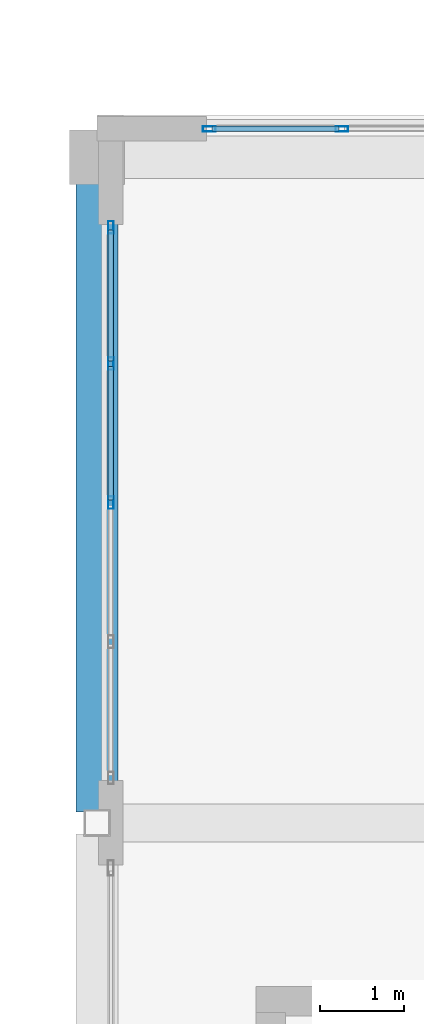
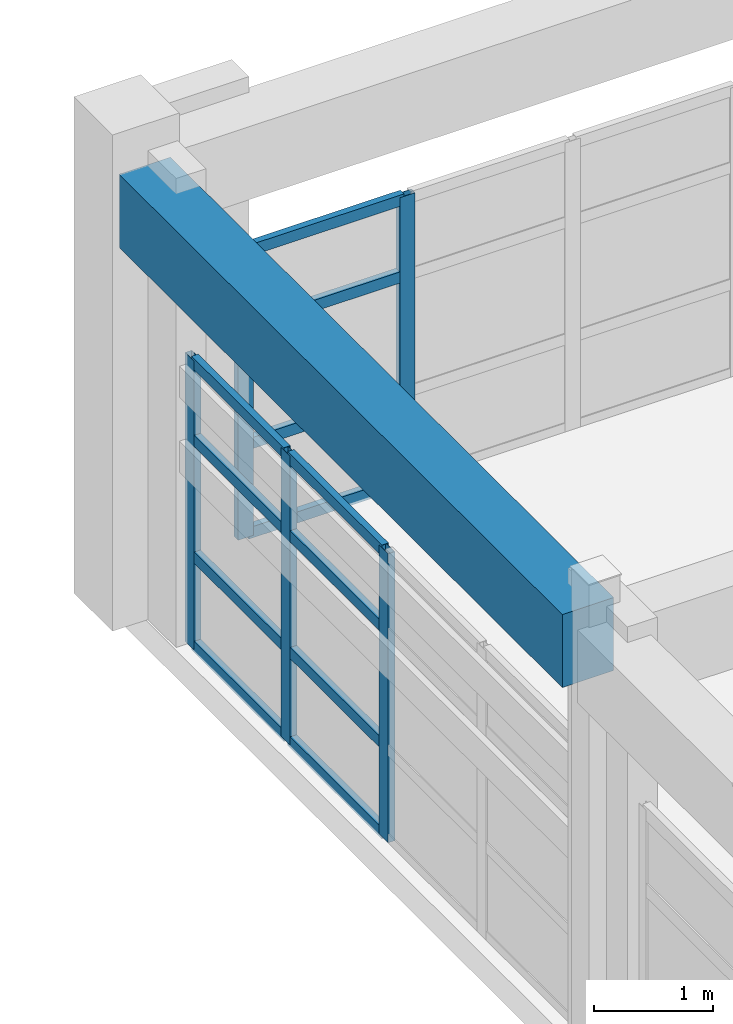
# One storey, part 61 of 103: 17 members, 1 beam, 2 elements without a shape of their own.
"""IFC4 building model written with IfcOpenShell, lengths in metres."""

from ifc_helpers import new_model, si_unit, direction, frame, origin, origin_2d, place, context, subcontext, project, spatial, rectangle, hollow_rectangle, extrude, material, layer, layer_set, material_profile, profile_set, type_object, element, aggregate, save


model = new_model("IFC4")

# Units and contexts
model_context = context("Model", 3, precision=1e-05, world=origin(), true_north=direction((0.0, 1.0)))
body_context = subcontext(model_context, "Body", "Model", "MODEL_VIEW")
ifc_project = project(units=[si_unit("LENGTHUNIT", "METRE"), si_unit("AREAUNIT", "SQUARE_METRE"), si_unit("VOLUMEUNIT", "CUBIC_METRE"), si_unit("PLANEANGLEUNIT", "RADIAN"), si_unit("MASSUNIT", "GRAM", prefix="KILO")], contexts=[model_context])

# Site, building, storey
site_placement = place(None, origin())
site = spatial("IfcSite", under=ifc_project, at=site_placement, CompositionType="ELEMENT")
building_placement = place(site_placement, origin())
building = spatial("IfcBuilding", under=site, at=building_placement, Name="Quendrovan Civic Courthouse", CompositionType="ELEMENT")
storey_placement = place(building_placement, frame((0.0, 0.0, 15.300048828125)))
storey = spatial("IfcBuildingStorey", under=building, at=storey_placement, Name="L04", CompositionType="ELEMENT", Elevation=15.300048828125)

# Beam
ifc_material_1 = material(Name="Concrete C40/50", Category="concrete")
ifc_material_profile_1 = material_profile(ifc_material_1, rectangle(XDim=0.5, YDim=0.75, at=origin_2d()), Name="RC-BM-500x750")
ifc_profile_set_1 = profile_set([ifc_material_profile_1], Name="Concrete C40/50")
beam_type = type_object("IfcBeamType", Name="BM-RC750", PredefinedType="SPANDREL", material=ifc_profile_set_1)
beam_placement = place(storey_placement, frame((109.199951171875, 102.1298828125, 4.284912109375), z_axis=(0.0, 1.0, 0.0), x_axis=(-1.0, 0.0, 0.0)))
element("IfcBeam", 1, at=beam_placement, inside=storey, type_object=beam_type, Name="L04 Girder Y0988", PredefinedType="SPANDREL", context=body_context, shape_type="SweptSolid", body=[
    extrude(rectangle(XDim=0.5, YDim=0.75, at=origin_2d()), origin(), (0.0, 0.0, 1.0), 7.465087890625),
])

# Curtain wall, members
ifc_material_2 = material(Name="Bronze anodised aluminium and low-E glass", Category="aluminium")
ifc_layer_1 = layer(ifc_material_2, 0.179931640625, Name="Bronze anodised aluminium and low-E glass")
ifc_layer_set_1 = layer_set([ifc_layer_1], Name="Bronze anodised aluminium and low-E glass")
curtain_wall_type_1 = type_object("IfcCurtainWallType", Name="CW-U64x30", PredefinedType="USERDEFINED", material=ifc_layer_set_1)
curtain_wall_1_placement = place(storey_placement, origin())
curtain_wall_1 = element("IfcCurtainWall", 2, at=curtain_wall_1_placement, inside=storey, type_object=curtain_wall_type_1, Name="L04 Unitised Hurricane Curtain Wall CW-167", ObjectType="UNITISED CURTAIN WALL", PredefinedType="USERDEFINED")
ifc_material_3 = material(Name="Bronze anodised aluminium", Category="aluminium")
ifc_material_profile_2 = material_profile(ifc_material_3, hollow_rectangle(XDim=0.06494140625, YDim=0.14990234375, WallThickness=0.00390625, at=origin_2d()), Name="CW-MULL-65x150")
ifc_profile_set_2 = profile_set([ifc_material_profile_2], Name="Bronze anodised aluminium")
member_type_1 = type_object("IfcMemberType", Name="CW-MULL-B", PredefinedType="MULLION", material=ifc_profile_set_2)
member_1_placement = place(storey_placement, frame((110.532470703125, 110.235107421875, 0.0), z_axis=(0.0, 0.0, 1.0), x_axis=(0.0, 1.0, 0.0)))
member_1 = element("IfcMember", 3, at=member_1_placement, type_object=member_type_1, Name="CW-167 mullion 1", PredefinedType="MULLION", context=body_context, shape_type="SweptSolid", body=[
    extrude(hollow_rectangle(XDim=0.06494140625, YDim=0.14990234375, WallThickness=0.00390625, at=origin_2d()), origin(), (0.0, 0.0, 1.0), 2.969970703125),
])
member_2_placement = place(storey_placement, frame((112.106201171875, 110.235107421875, 0.0), z_axis=(0.0, 0.0, 1.0), x_axis=(0.0, 1.0, 0.0)))
member_2 = element("IfcMember", 4, at=member_2_placement, type_object=member_type_1, Name="CW-167 mullion 2", PredefinedType="MULLION", context=body_context, shape_type="SweptSolid", body=[
    extrude(hollow_rectangle(XDim=0.06494140625, YDim=0.14990234375, WallThickness=0.00390625, at=origin_2d()), origin(), (0.0, 0.0, 1.0), 2.969970703125),
])

ifc_layer_2 = layer(ifc_material_2, 0.179931640625, Name="Bronze anodised aluminium and low-E glass")
ifc_layer_set_2 = layer_set([ifc_layer_2], Name="Bronze anodised aluminium and low-E glass")
curtain_wall_type_2 = type_object("IfcCurtainWallType", Name="CW-U66x30", PredefinedType="USERDEFINED", material=ifc_layer_set_2)
curtain_wall_2_placement = place(storey_placement, origin())
curtain_wall_2 = element("IfcCurtainWall", 5, at=curtain_wall_2_placement, inside=storey, type_object=curtain_wall_type_2, Name="L04 Unitised Hurricane Curtain Wall CW-179", ObjectType="UNITISED CURTAIN WALL", PredefinedType="USERDEFINED")
member_3_placement = place(storey_placement, frame((109.364990234375, 105.800048828125, 0.0), z_axis=(0.0, 0.0, 1.0), x_axis=(-1.0, 0.0, 0.0)))
member_3 = element("IfcMember", 6, at=member_3_placement, type_object=member_type_1, Name="CW-179 mullion 3", PredefinedType="MULLION", context=body_context, shape_type="SweptSolid", body=[
    extrude(hollow_rectangle(XDim=0.06494140625, YDim=0.14990234375, WallThickness=0.00390625, at=origin_2d()), origin(), (0.0, 0.0, 1.0), 2.969970703125),
])
member_4_placement = place(storey_placement, frame((109.364990234375, 107.449951171875, 0.0), z_axis=(0.0, 0.0, 1.0), x_axis=(-1.0, 0.0, 0.0)))
member_4 = element("IfcMember", 7, at=member_4_placement, type_object=member_type_1, Name="CW-179 mullion 4", PredefinedType="MULLION", context=body_context, shape_type="SweptSolid", body=[
    extrude(hollow_rectangle(XDim=0.06494140625, YDim=0.14990234375, WallThickness=0.00390625, at=origin_2d()), origin(), (0.0, 0.0, 1.0), 2.969970703125),
])
member_5_placement = place(storey_placement, frame((109.364990234375, 109.0673828125, 0.0), z_axis=(0.0, 0.0, 1.0), x_axis=(-1.0, 0.0, 0.0)))
member_5 = element("IfcMember", 8, at=member_5_placement, type_object=member_type_1, Name="CW-179 mullion 5", PredefinedType="MULLION", context=body_context, shape_type="SweptSolid", body=[
    extrude(hollow_rectangle(XDim=0.06494140625, YDim=0.14990234375, WallThickness=0.00390625, at=origin_2d()), origin(), (0.0, 0.0, 1.0), 2.969970703125),
])

# Member
ifc_material_profile_3 = material_profile(ifc_material_3, hollow_rectangle(XDim=0.06494140625, YDim=0.114990234375, WallThickness=0.00390625, at=origin_2d()), Name="CW-TRAN-65x115")
ifc_profile_set_3 = profile_set([ifc_material_profile_3], Name="Bronze anodised aluminium")
member_type_2 = type_object("IfcMemberType", Name="CW-TRAN-B", PredefinedType="USERDEFINED", material=ifc_profile_set_3)
member_6_placement = place(storey_placement, frame((110.56494140625, 110.235107421875, 0.032470703125), z_axis=(1.0, 0.0, 0.0), x_axis=(0.0, 1.0, 0.0)))
member_6 = element("IfcMember", 9, at=member_6_placement, type_object=member_type_2, Name="CW-167 transom 1.1", ObjectType="TRANSOM", PredefinedType="USERDEFINED", context=body_context, shape_type="SweptSolid", body=[
    extrude(hollow_rectangle(XDim=0.06494140625, YDim=0.114990234375, WallThickness=0.00390625, at=origin_2d()), origin(), (0.0, 0.0, 1.0), 1.5087890625),
])

member_7_placement = place(storey_placement, frame((110.56494140625, 110.235107421875, 0.949951171875), z_axis=(1.0, 0.0, 0.0), x_axis=(0.0, 1.0, 0.0)))
member_7 = element("IfcMember", 10, at=member_7_placement, type_object=member_type_2, Name="CW-167 transom 1.2", ObjectType="TRANSOM", PredefinedType="USERDEFINED", context=body_context, shape_type="SweptSolid", body=[
    extrude(hollow_rectangle(XDim=0.06494140625, YDim=0.114990234375, WallThickness=0.00390625, at=origin_2d()), origin(), (0.0, 0.0, 1.0), 1.5087890625),
])

member_8_placement = place(storey_placement, frame((110.56494140625, 110.235107421875, 2.14990234375), z_axis=(1.0, 0.0, 0.0), x_axis=(0.0, 1.0, 0.0)))
member_8 = element("IfcMember", 11, at=member_8_placement, type_object=member_type_2, Name="CW-167 transom 1.3", ObjectType="TRANSOM", PredefinedType="USERDEFINED", context=body_context, shape_type="SweptSolid", body=[
    extrude(hollow_rectangle(XDim=0.06494140625, YDim=0.114990234375, WallThickness=0.00390625, at=origin_2d()), origin(), (0.0, 0.0, 1.0), 1.5087890625),
])

member_9_placement = place(storey_placement, frame((110.56494140625, 110.235107421875, 2.9375), z_axis=(1.0, 0.0, 0.0), x_axis=(0.0, 1.0, 0.0)))
member_9 = element("IfcMember", 12, at=member_9_placement, type_object=member_type_2, Name="CW-167 transom 1.4", ObjectType="TRANSOM", PredefinedType="USERDEFINED", context=body_context, shape_type="SweptSolid", body=[
    extrude(hollow_rectangle(XDim=0.06494140625, YDim=0.114990234375, WallThickness=0.00390625, at=origin_2d()), origin(), (0.0, 0.0, 1.0), 1.5087890625),
])

aggregate(curtain_wall_1, [member_1, member_2, member_6, member_7, member_8, member_9])

member_10_placement = place(storey_placement, frame((109.364990234375, 105.83251953125, 0.032470703125), z_axis=(0.0, 1.0, 0.0), x_axis=(-1.0, 0.0, 0.0)))
member_10 = element("IfcMember", 13, at=member_10_placement, type_object=member_type_2, Name="CW-179 transom 3.1", ObjectType="TRANSOM", PredefinedType="USERDEFINED", context=body_context, shape_type="SweptSolid", body=[
    extrude(hollow_rectangle(XDim=0.06494140625, YDim=0.114990234375, WallThickness=0.00390625, at=origin_2d()), origin(), (0.0, 0.0, 1.0), 1.5849609375),
])

member_11_placement = place(storey_placement, frame((109.364990234375, 105.83251953125, 0.949951171875), z_axis=(0.0, 1.0, 0.0), x_axis=(-1.0, 0.0, 0.0)))
member_11 = element("IfcMember", 14, at=member_11_placement, type_object=member_type_2, Name="CW-179 transom 3.2", ObjectType="TRANSOM", PredefinedType="USERDEFINED", context=body_context, shape_type="SweptSolid", body=[
    extrude(hollow_rectangle(XDim=0.06494140625, YDim=0.114990234375, WallThickness=0.00390625, at=origin_2d()), origin(), (0.0, 0.0, 1.0), 1.5849609375),
])

member_12_placement = place(storey_placement, frame((109.364990234375, 105.83251953125, 2.14990234375), z_axis=(0.0, 1.0, 0.0), x_axis=(-1.0, 0.0, 0.0)))
member_12 = element("IfcMember", 15, at=member_12_placement, type_object=member_type_2, Name="CW-179 transom 3.3", ObjectType="TRANSOM", PredefinedType="USERDEFINED", context=body_context, shape_type="SweptSolid", body=[
    extrude(hollow_rectangle(XDim=0.06494140625, YDim=0.114990234375, WallThickness=0.00390625, at=origin_2d()), origin(), (0.0, 0.0, 1.0), 1.5849609375),
])

member_13_placement = place(storey_placement, frame((109.364990234375, 105.83251953125, 2.9375), z_axis=(0.0, 1.0, 0.0), x_axis=(-1.0, 0.0, 0.0)))
member_13 = element("IfcMember", 16, at=member_13_placement, type_object=member_type_2, Name="CW-179 transom 3.4", ObjectType="TRANSOM", PredefinedType="USERDEFINED", context=body_context, shape_type="SweptSolid", body=[
    extrude(hollow_rectangle(XDim=0.06494140625, YDim=0.114990234375, WallThickness=0.00390625, at=origin_2d()), origin(), (0.0, 0.0, 1.0), 1.5849609375),
])

member_14_placement = place(storey_placement, frame((109.364990234375, 107.482421875, 0.032470703125), z_axis=(0.0, 1.0, 0.0), x_axis=(-1.0, 0.0, 0.0)))
member_14 = element("IfcMember", 17, at=member_14_placement, type_object=member_type_2, Name="CW-179 transom 4.1", ObjectType="TRANSOM", PredefinedType="USERDEFINED", context=body_context, shape_type="SweptSolid", body=[
    extrude(hollow_rectangle(XDim=0.06494140625, YDim=0.114990234375, WallThickness=0.00390625, at=origin_2d()), origin(), (0.0, 0.0, 1.0), 1.552490234375),
])

member_15_placement = place(storey_placement, frame((109.364990234375, 107.482421875, 0.949951171875), z_axis=(0.0, 1.0, 0.0), x_axis=(-1.0, 0.0, 0.0)))
member_15 = element("IfcMember", 18, at=member_15_placement, type_object=member_type_2, Name="CW-179 transom 4.2", ObjectType="TRANSOM", PredefinedType="USERDEFINED", context=body_context, shape_type="SweptSolid", body=[
    extrude(hollow_rectangle(XDim=0.06494140625, YDim=0.114990234375, WallThickness=0.00390625, at=origin_2d()), origin(), (0.0, 0.0, 1.0), 1.552490234375),
])

member_16_placement = place(storey_placement, frame((109.364990234375, 107.482421875, 2.14990234375), z_axis=(0.0, 1.0, 0.0), x_axis=(-1.0, 0.0, 0.0)))
member_16 = element("IfcMember", 19, at=member_16_placement, type_object=member_type_2, Name="CW-179 transom 4.3", ObjectType="TRANSOM", PredefinedType="USERDEFINED", context=body_context, shape_type="SweptSolid", body=[
    extrude(hollow_rectangle(XDim=0.06494140625, YDim=0.114990234375, WallThickness=0.00390625, at=origin_2d()), origin(), (0.0, 0.0, 1.0), 1.552490234375),
])

member_17_placement = place(storey_placement, frame((109.364990234375, 107.482421875, 2.9375), z_axis=(0.0, 1.0, 0.0), x_axis=(-1.0, 0.0, 0.0)))
member_17 = element("IfcMember", 20, at=member_17_placement, type_object=member_type_2, Name="CW-179 transom 4.4", ObjectType="TRANSOM", PredefinedType="USERDEFINED", context=body_context, shape_type="SweptSolid", body=[
    extrude(hollow_rectangle(XDim=0.06494140625, YDim=0.114990234375, WallThickness=0.00390625, at=origin_2d()), origin(), (0.0, 0.0, 1.0), 1.552490234375),
])

aggregate(curtain_wall_2, [member_3, member_4, member_5, member_10, member_11, member_12, member_13, member_14, member_15, member_16, member_17])

save(model, "model.ifc")
